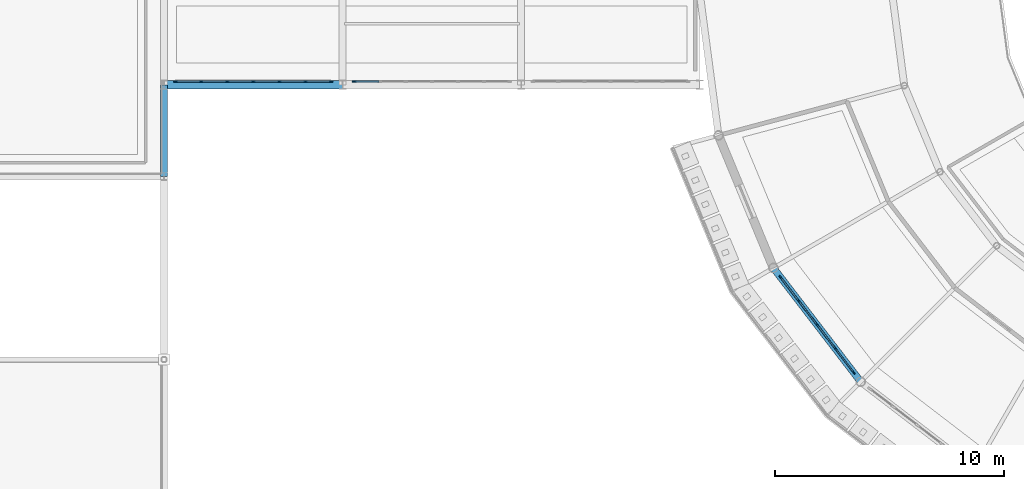
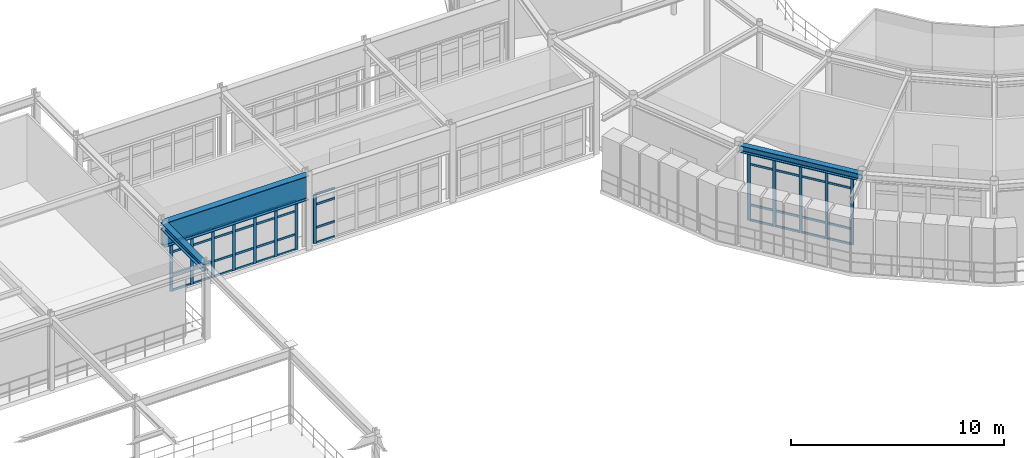
# One storey, part 31 of 106: 57 members, 3 beams, 3 elements without a shape of their own.
"""IFC4 building model written with IfcOpenShell, lengths in metres."""

from ifc_helpers import new_model, si_unit, derived_unit, direction, frame, origin, origin_2d, place, context, subcontext, project, spatial, rectangle, i_section, extrude, material, layer, layer_set, material_profile, profile_set, type_object, element, aggregate, save


model = new_model("IFC4")

# Units and contexts
model_context = context("Model", 3, precision=1e-05, world=origin(), true_north=direction((0.0, 1.0)))
body_context = subcontext(model_context, "Body", "Model", "MODEL_VIEW")
ifc_project = project(units=[si_unit("LENGTHUNIT", "METRE"), si_unit("AREAUNIT", "SQUARE_METRE"), si_unit("VOLUMEUNIT", "CUBIC_METRE"), si_unit("PLANEANGLEUNIT", "RADIAN"), si_unit("MASSUNIT", "GRAM", prefix="KILO"), derived_unit("THERMALTRANSMITTANCEUNIT", [(si_unit("POWERUNIT", "WATT"), 1), (si_unit("AREAUNIT", "SQUARE_METRE"), -1), (si_unit("THERMODYNAMICTEMPERATUREUNIT", "KELVIN"), -1)])], contexts=[model_context])

# Site, building, storey
site_placement = place(None, origin())
site = spatial("IfcSite", under=ifc_project, at=site_placement, CompositionType="ELEMENT")
building_placement = place(site_placement, origin())
building = spatial("IfcBuilding", under=site, at=building_placement, Name="Yasenodar Specialist Clinic", CompositionType="ELEMENT")
storey_placement = place(building_placement, frame((0.0, 0.0, 4.5)))
storey = spatial("IfcBuildingStorey", under=building, at=storey_placement, Name="L01", CompositionType="ELEMENT", Elevation=4.5)

# Beams
ifc_material_1 = material(Name="Steel S355", Category="steel")
ifc_material_profile_1 = material_profile(ifc_material_1, i_section(OverallWidth=0.300048828125, OverallDepth=0.389892578125, WebThickness=0.010986328125, FlangeThickness=0.01904296875, FilletRadius=0.027099609375, at=origin_2d()), Name="HEA 400")
ifc_profile_set_1 = profile_set([ifc_material_profile_1], Name="Steel S355")
beam_type_1 = type_object("IfcBeamType", Name="BM-HEA400", PredefinedType="BEAM", material=ifc_profile_set_1)
beam_1_placement = place(storey_placement, frame((60.21533203125, 46.800048828125, 4.054931640625), z_axis=(0.608742360322, -0.793367971845, 0.0), x_axis=(0.793367971845, 0.608742360322, 0.0)))
element("IfcBeam", 1, at=beam_1_placement, inside=storey, type_object=beam_type_1, Name="L01 Drum V1 Perimeter Ring Beam", PredefinedType="BEAM", context=body_context, shape_type="SweptSolid", body=[
    extrude(i_section(OverallWidth=0.300048828125, OverallDepth=0.389892578125, WebThickness=0.010986328125, FlangeThickness=0.01904296875, FilletRadius=0.027099609375, at=origin_2d()), origin(), (0.0, 0.0, 1.0), 6.265380859375),
])
ifc_material_profile_2 = material_profile(ifc_material_1, i_section(OverallWidth=0.300048828125, OverallDepth=0.39990234375, WebThickness=0.013427734375, FlangeThickness=0.02392578125, FilletRadius=0.027099609375, at=origin_2d()), Name="HEB 400")
ifc_profile_set_2 = profile_set([ifc_material_profile_2], Name="Steel S355")
beam_type_2 = type_object("IfcBeamType", Name="BM-HEB400", PredefinedType="BEAM", material=ifc_profile_set_2)
beam_2_placement = place(storey_placement, frame((33.60009765625, 50.800048828125, 4.050048828125), z_axis=(0.0, 1.0, 0.0), x_axis=(-1.0, 0.0, 0.0)))
element("IfcBeam", 2, at=beam_2_placement, inside=storey, type_object=beam_type_2, Name="L01 Primary N-S Girder", PredefinedType="BEAM", context=body_context, shape_type="SweptSolid", body=[
    extrude(i_section(OverallWidth=0.300048828125, OverallDepth=0.39990234375, WebThickness=0.013427734375, FlangeThickness=0.02392578125, FilletRadius=0.027099609375, at=origin_2d()), origin(), (0.0, 0.0, 1.0), 4.0),
])
ifc_material_profile_3 = material_profile(ifc_material_1, i_section(OverallWidth=0.35009765625, OverallDepth=1.39990234375, WebThickness=0.01611328125, FlangeThickness=0.028076171875, FilletRadius=0.02392578125, at=origin_2d()), Name="PG 1400x350")
ifc_profile_set_3 = profile_set([ifc_material_profile_3], Name="Steel S355")
beam_type_3 = type_object("IfcBeamType", Name="BM-PG-1400", PredefinedType="BEAM", material=ifc_profile_set_3)
beam_3_placement = place(storey_placement, frame((33.60009765625, 54.800048828125, 3.550048828125), z_axis=(1.0, 0.0, 0.0), x_axis=(0.0, 1.0, 0.0)))
element("IfcBeam", 3, at=beam_3_placement, inside=storey, type_object=beam_type_3, Name="L01 Light Bridge Plate Girder", PredefinedType="BEAM", context=body_context, shape_type="SweptSolid", body=[
    extrude(i_section(OverallWidth=0.35009765625, OverallDepth=1.39990234375, WebThickness=0.01611328125, FlangeThickness=0.028076171875, FilletRadius=0.02392578125, at=origin_2d()), origin(), (0.0, 0.0, 1.0), 7.7998046875),
])

# Curtain wall, members
ifc_material_2 = material(Name="Bronze Anodized Aluminium and Triple Low-E Glass", Category="aluminium")
ifc_layer_1 = layer(ifc_material_2, 0.1669921875)
ifc_layer_set_1 = layer_set([ifc_layer_1], Name="Bronze Anodized Aluminium and Triple Low-E Glass")
curtain_wall_type_1 = type_object("IfcCurtainWallType", Name="CW-SYS-01", PredefinedType="USERDEFINED", material=ifc_layer_set_1)
curtain_wall_1_placement = place(storey_placement, origin())
curtain_wall_1 = element("IfcCurtainWall", 4, at=curtain_wall_1_placement, inside=storey, type_object=curtain_wall_type_1, Name="L01 Unitised Curtain Wall 019", ObjectType="UNITISED CURTAIN WALL", PredefinedType="USERDEFINED")
ifc_material_3 = material(Name="Bronze Anodized Aluminium", Category="aluminium")
ifc_material_profile_4 = material_profile(ifc_material_3, rectangle(XDim=0.06005859375, YDim=0.159912109375, at=origin_2d()), Name="CW-MULL 60x160")
ifc_profile_set_4 = profile_set([ifc_material_profile_4], Name="Bronze Anodized Aluminium")
member_type_1 = type_object("IfcMemberType", Name="CW-MULL-160", PredefinedType="MULLION", material=ifc_profile_set_4)
member_1_placement = place(storey_placement, frame((63.718994140625, 42.23388671875, 0.0), z_axis=(0.0, 0.0, 1.0), x_axis=(-0.793360558574, -0.608752021844, 0.0)))
member_1 = element("IfcMember", 5, at=member_1_placement, type_object=member_type_1, Name="CW-01 mullion 1", PredefinedType="MULLION", context=body_context, shape_type="SweptSolid", body=[
    extrude(rectangle(XDim=0.06005859375, YDim=0.159912109375, at=origin_2d()), origin(), (0.0, 0.0, 1.0), 3.837890625),
])
member_2_placement = place(storey_placement, frame((62.9296875, 43.262451171875, 0.0), z_axis=(0.0, 0.0, 1.0), x_axis=(-0.793360558574, -0.608752021844, 0.0)))
member_2 = element("IfcMember", 6, at=member_2_placement, type_object=member_type_1, Name="CW-01 mullion 2", PredefinedType="MULLION", context=body_context, shape_type="SweptSolid", body=[
    extrude(rectangle(XDim=0.06005859375, YDim=0.159912109375, at=origin_2d()), origin(), (0.0, 0.0, 1.0), 3.837890625),
])
member_3_placement = place(storey_placement, frame((62.122314453125, 44.314697265625, 0.0), z_axis=(0.0, 0.0, 1.0), x_axis=(-0.793360558574, -0.608752021844, 0.0)))
member_3 = element("IfcMember", 7, at=member_3_placement, type_object=member_type_1, Name="CW-01 mullion 3", PredefinedType="MULLION", context=body_context, shape_type="SweptSolid", body=[
    extrude(rectangle(XDim=0.06005859375, YDim=0.159912109375, at=origin_2d()), origin(), (0.0, 0.0, 1.0), 3.837890625),
])
member_4_placement = place(storey_placement, frame((61.31494140625, 45.366943359375, 0.0), z_axis=(0.0, 0.0, 1.0), x_axis=(-0.793360558574, -0.608752021844, 0.0)))
member_4 = element("IfcMember", 8, at=member_4_placement, type_object=member_type_1, Name="CW-01 mullion 4", PredefinedType="MULLION", context=body_context, shape_type="SweptSolid", body=[
    extrude(rectangle(XDim=0.06005859375, YDim=0.159912109375, at=origin_2d()), origin(), (0.0, 0.0, 1.0), 3.837890625),
])
member_5_placement = place(storey_placement, frame((60.52587890625, 46.3955078125, 0.0), z_axis=(0.0, 0.0, 1.0), x_axis=(-0.793360558574, -0.608752021844, 0.0)))
member_5 = element("IfcMember", 9, at=member_5_placement, type_object=member_type_1, Name="CW-01 mullion 5", PredefinedType="MULLION", context=body_context, shape_type="SweptSolid", body=[
    extrude(rectangle(XDim=0.06005859375, YDim=0.159912109375, at=origin_2d()), origin(), (0.0, 0.0, 1.0), 3.837890625),
])

ifc_layer_2 = layer(ifc_material_2, 0.19091796875)
ifc_layer_set_2 = layer_set([ifc_layer_2], Name="Bronze Anodized Aluminium and Triple Low-E Glass")
curtain_wall_type_2 = type_object("IfcCurtainWallType", Name="CW-SYS-03", PredefinedType="USERDEFINED", material=ifc_layer_set_2)
curtain_wall_2_placement = place(storey_placement, origin())
curtain_wall_2 = element("IfcCurtainWall", 10, at=curtain_wall_2_placement, inside=storey, type_object=curtain_wall_type_2, Name="L01 Unitised Curtain Wall 102", ObjectType="UNITISED CURTAIN WALL", PredefinedType="USERDEFINED")
member_6_placement = place(storey_placement, frame((40.889892578125, 54.949951171875, 0.0), z_axis=(0.0, 0.0, 1.0), x_axis=(0.0, -1.0, 0.0)))
member_6 = element("IfcMember", 11, at=member_6_placement, type_object=member_type_1, Name="CW-03 mullion 1", PredefinedType="MULLION", context=body_context, shape_type="SweptSolid", body=[
    extrude(rectangle(XDim=0.06005859375, YDim=0.159912109375, at=origin_2d()), origin(), (0.0, 0.0, 1.0), 2.827880859375),
])
member_7_placement = place(storey_placement, frame((39.780029296875, 54.949951171875, 0.0), z_axis=(0.0, 0.0, 1.0), x_axis=(0.0, -1.0, 0.0)))
member_7 = element("IfcMember", 12, at=member_7_placement, type_object=member_type_1, Name="CW-03 mullion 2", PredefinedType="MULLION", context=body_context, shape_type="SweptSolid", body=[
    extrude(rectangle(XDim=0.06005859375, YDim=0.159912109375, at=origin_2d()), origin(), (0.0, 0.0, 1.0), 2.827880859375),
])
member_8_placement = place(storey_placement, frame((38.639892578125, 54.949951171875, 0.0), z_axis=(0.0, 0.0, 1.0), x_axis=(0.0, -1.0, 0.0)))
member_8 = element("IfcMember", 13, at=member_8_placement, type_object=member_type_1, Name="CW-03 mullion 3", PredefinedType="MULLION", context=body_context, shape_type="SweptSolid", body=[
    extrude(rectangle(XDim=0.06005859375, YDim=0.159912109375, at=origin_2d()), origin(), (0.0, 0.0, 1.0), 2.827880859375),
])
member_9_placement = place(storey_placement, frame((37.5, 54.949951171875, 0.0), z_axis=(0.0, 0.0, 1.0), x_axis=(0.0, -1.0, 0.0)))
member_9 = element("IfcMember", 14, at=member_9_placement, type_object=member_type_1, Name="CW-03 mullion 4", PredefinedType="MULLION", context=body_context, shape_type="SweptSolid", body=[
    extrude(rectangle(XDim=0.06005859375, YDim=0.159912109375, at=origin_2d()), origin(), (0.0, 0.0, 1.0), 2.827880859375),
])
member_10_placement = place(storey_placement, frame((36.360107421875, 54.949951171875, 0.0), z_axis=(0.0, 0.0, 1.0), x_axis=(0.0, -1.0, 0.0)))
member_10 = element("IfcMember", 15, at=member_10_placement, type_object=member_type_1, Name="CW-03 mullion 5", PredefinedType="MULLION", context=body_context, shape_type="SweptSolid", body=[
    extrude(rectangle(XDim=0.06005859375, YDim=0.159912109375, at=origin_2d()), origin(), (0.0, 0.0, 1.0), 2.827880859375),
])
member_11_placement = place(storey_placement, frame((35.219970703125, 54.949951171875, 0.0), z_axis=(0.0, 0.0, 1.0), x_axis=(0.0, -1.0, 0.0)))
member_11 = element("IfcMember", 16, at=member_11_placement, type_object=member_type_1, Name="CW-03 mullion 6", PredefinedType="MULLION", context=body_context, shape_type="SweptSolid", body=[
    extrude(rectangle(XDim=0.06005859375, YDim=0.159912109375, at=origin_2d()), origin(), (0.0, 0.0, 1.0), 2.827880859375),
])
member_12_placement = place(storey_placement, frame((34.110107421875, 54.949951171875, 0.0), z_axis=(0.0, 0.0, 1.0), x_axis=(0.0, -1.0, 0.0)))
member_12 = element("IfcMember", 17, at=member_12_placement, type_object=member_type_1, Name="CW-03 mullion 7", PredefinedType="MULLION", context=body_context, shape_type="SweptSolid", body=[
    extrude(rectangle(XDim=0.06005859375, YDim=0.159912109375, at=origin_2d()), origin(), (0.0, 0.0, 1.0), 2.827880859375),
])

# Curtain wall, member
curtain_wall_3_placement = place(storey_placement, origin())
curtain_wall_3 = element("IfcCurtainWall", 18, at=curtain_wall_3_placement, inside=storey, type_object=curtain_wall_type_2, Name="L01 Unitised Curtain Wall 104", ObjectType="UNITISED CURTAIN WALL", PredefinedType="USERDEFINED")
member_13_placement = place(storey_placement, frame((41.909912109375, 54.949951171875, 0.0), z_axis=(0.0, 0.0, 1.0), x_axis=(0.0, -1.0, 0.0)))
member_13 = element("IfcMember", 19, at=member_13_placement, type_object=member_type_1, Name="CW-03 mullion 7", PredefinedType="MULLION", context=body_context, shape_type="SweptSolid", body=[
    extrude(rectangle(XDim=0.06005859375, YDim=0.159912109375, at=origin_2d()), origin(), (0.0, 0.0, 1.0), 2.827880859375),
])

# Member
ifc_material_profile_5 = material_profile(ifc_material_3, rectangle(XDim=0.06005859375, YDim=0.1201171875, at=origin_2d()), Name="CW-TRAN 60x120")
ifc_profile_set_5 = profile_set([ifc_material_profile_5], Name="Bronze Anodized Aluminium")
member_type_2 = type_object("IfcMemberType", Name="CW-TRAN-120", PredefinedType="USERDEFINED", material=ifc_profile_set_5)
member_14_placement = place(storey_placement, frame((63.70068359375, 42.2578125, 0.030029296875), z_axis=(-0.608746535642, 0.793364768151, 0.0), x_axis=(-0.793364768151, -0.608746535642, 0.0)))
member_14 = element("IfcMember", 20, at=member_14_placement, type_object=member_type_2, Name="CW-01 transom 1.1", ObjectType="TRANSOM", PredefinedType="USERDEFINED", context=body_context, shape_type="SweptSolid", body=[
    extrude(rectangle(XDim=0.06005859375, YDim=0.1201171875, at=origin_2d()), origin(), (0.0, 0.0, 1.0), 1.236572265625),
])

member_15_placement = place(storey_placement, frame((63.70068359375, 42.2578125, 0.89990234375), z_axis=(-0.608746535642, 0.793364768151, 0.0), x_axis=(-0.793364768151, -0.608746535642, 0.0)))
member_15 = element("IfcMember", 21, at=member_15_placement, type_object=member_type_2, Name="CW-01 transom 1.2", ObjectType="TRANSOM", PredefinedType="USERDEFINED", context=body_context, shape_type="SweptSolid", body=[
    extrude(rectangle(XDim=0.06005859375, YDim=0.1201171875, at=origin_2d()), origin(), (0.0, 0.0, 1.0), 1.236572265625),
])

member_16_placement = place(storey_placement, frame((63.70068359375, 42.2578125, 3.238037109375), z_axis=(-0.608746535642, 0.793364768151, 0.0), x_axis=(-0.793364768151, -0.608746535642, 0.0)))
member_16 = element("IfcMember", 22, at=member_16_placement, type_object=member_type_2, Name="CW-01 transom 1.3", ObjectType="TRANSOM", PredefinedType="USERDEFINED", context=body_context, shape_type="SweptSolid", body=[
    extrude(rectangle(XDim=0.06005859375, YDim=0.1201171875, at=origin_2d()), origin(), (0.0, 0.0, 1.0), 1.236572265625),
])

member_17_placement = place(storey_placement, frame((63.70068359375, 42.2578125, 3.80810546875), z_axis=(-0.608746535642, 0.793364768151, 0.0), x_axis=(-0.793364768151, -0.608746535642, 0.0)))
member_17 = element("IfcMember", 23, at=member_17_placement, type_object=member_type_2, Name="CW-01 transom 1.4", ObjectType="TRANSOM", PredefinedType="USERDEFINED", context=body_context, shape_type="SweptSolid", body=[
    extrude(rectangle(XDim=0.06005859375, YDim=0.1201171875, at=origin_2d()), origin(), (0.0, 0.0, 1.0), 1.236572265625),
])

member_18_placement = place(storey_placement, frame((62.91162109375, 43.2861328125, 0.030029296875), z_axis=(-0.608722862036, 0.793382932281, 0.0), x_axis=(-0.793382932281, -0.608722862036, 0.0)))
member_18 = element("IfcMember", 24, at=member_18_placement, type_object=member_type_2, Name="CW-01 transom 2.1", ObjectType="TRANSOM", PredefinedType="USERDEFINED", context=body_context, shape_type="SweptSolid", body=[
    extrude(rectangle(XDim=0.06005859375, YDim=0.1201171875, at=origin_2d()), origin(), (0.0, 0.0, 1.0), 1.2666015625),
])

member_19_placement = place(storey_placement, frame((62.91162109375, 43.2861328125, 0.89990234375), z_axis=(-0.608722862036, 0.793382932281, 0.0), x_axis=(-0.793382932281, -0.608722862036, 0.0)))
member_19 = element("IfcMember", 25, at=member_19_placement, type_object=member_type_2, Name="CW-01 transom 2.2", ObjectType="TRANSOM", PredefinedType="USERDEFINED", context=body_context, shape_type="SweptSolid", body=[
    extrude(rectangle(XDim=0.06005859375, YDim=0.1201171875, at=origin_2d()), origin(), (0.0, 0.0, 1.0), 1.2666015625),
])

member_20_placement = place(storey_placement, frame((62.91162109375, 43.2861328125, 3.238037109375), z_axis=(-0.608722862036, 0.793382932281, 0.0), x_axis=(-0.793382932281, -0.608722862036, 0.0)))
member_20 = element("IfcMember", 26, at=member_20_placement, type_object=member_type_2, Name="CW-01 transom 2.3", ObjectType="TRANSOM", PredefinedType="USERDEFINED", context=body_context, shape_type="SweptSolid", body=[
    extrude(rectangle(XDim=0.06005859375, YDim=0.1201171875, at=origin_2d()), origin(), (0.0, 0.0, 1.0), 1.2666015625),
])

member_21_placement = place(storey_placement, frame((62.91162109375, 43.2861328125, 3.80810546875), z_axis=(-0.608722862036, 0.793382932281, 0.0), x_axis=(-0.793382932281, -0.608722862036, 0.0)))
member_21 = element("IfcMember", 27, at=member_21_placement, type_object=member_type_2, Name="CW-01 transom 2.4", ObjectType="TRANSOM", PredefinedType="USERDEFINED", context=body_context, shape_type="SweptSolid", body=[
    extrude(rectangle(XDim=0.06005859375, YDim=0.1201171875, at=origin_2d()), origin(), (0.0, 0.0, 1.0), 1.2666015625),
])

member_22_placement = place(storey_placement, frame((62.104248046875, 44.33837890625, 0.030029296875), z_axis=(-0.608722862036, 0.793382932281, 0.0), x_axis=(-0.793382932281, -0.608722862036, 0.0)))
member_22 = element("IfcMember", 28, at=member_22_placement, type_object=member_type_2, Name="CW-01 transom 3.1", ObjectType="TRANSOM", PredefinedType="USERDEFINED", context=body_context, shape_type="SweptSolid", body=[
    extrude(rectangle(XDim=0.06005859375, YDim=0.1201171875, at=origin_2d()), origin(), (0.0, 0.0, 1.0), 1.2666015625),
])

member_23_placement = place(storey_placement, frame((62.104248046875, 44.33837890625, 0.89990234375), z_axis=(-0.608722862036, 0.793382932281, 0.0), x_axis=(-0.793382932281, -0.608722862036, 0.0)))
member_23 = element("IfcMember", 29, at=member_23_placement, type_object=member_type_2, Name="CW-01 transom 3.2", ObjectType="TRANSOM", PredefinedType="USERDEFINED", context=body_context, shape_type="SweptSolid", body=[
    extrude(rectangle(XDim=0.06005859375, YDim=0.1201171875, at=origin_2d()), origin(), (0.0, 0.0, 1.0), 1.2666015625),
])

member_24_placement = place(storey_placement, frame((62.104248046875, 44.33837890625, 3.238037109375), z_axis=(-0.608722862036, 0.793382932281, 0.0), x_axis=(-0.793382932281, -0.608722862036, 0.0)))
member_24 = element("IfcMember", 30, at=member_24_placement, type_object=member_type_2, Name="CW-01 transom 3.3", ObjectType="TRANSOM", PredefinedType="USERDEFINED", context=body_context, shape_type="SweptSolid", body=[
    extrude(rectangle(XDim=0.06005859375, YDim=0.1201171875, at=origin_2d()), origin(), (0.0, 0.0, 1.0), 1.2666015625),
])

member_25_placement = place(storey_placement, frame((62.104248046875, 44.33837890625, 3.80810546875), z_axis=(-0.608722862036, 0.793382932281, 0.0), x_axis=(-0.793382932281, -0.608722862036, 0.0)))
member_25 = element("IfcMember", 31, at=member_25_placement, type_object=member_type_2, Name="CW-01 transom 3.4", ObjectType="TRANSOM", PredefinedType="USERDEFINED", context=body_context, shape_type="SweptSolid", body=[
    extrude(rectangle(XDim=0.06005859375, YDim=0.1201171875, at=origin_2d()), origin(), (0.0, 0.0, 1.0), 1.2666015625),
])

member_26_placement = place(storey_placement, frame((61.296630859375, 45.390869140625, 0.030029296875), z_axis=(-0.608717606417, 0.793386964626, 0.0), x_axis=(-0.793386964626, -0.608717606417, 0.0)))
member_26 = element("IfcMember", 32, at=member_26_placement, type_object=member_type_2, Name="CW-01 transom 4.1", ObjectType="TRANSOM", PredefinedType="USERDEFINED", context=body_context, shape_type="SweptSolid", body=[
    extrude(rectangle(XDim=0.06005859375, YDim=0.1201171875, at=origin_2d()), origin(), (0.0, 0.0, 1.0), 1.236083984375),
])

member_27_placement = place(storey_placement, frame((61.296630859375, 45.390869140625, 0.89990234375), z_axis=(-0.608717606417, 0.793386964626, 0.0), x_axis=(-0.793386964626, -0.608717606417, 0.0)))
member_27 = element("IfcMember", 33, at=member_27_placement, type_object=member_type_2, Name="CW-01 transom 4.2", ObjectType="TRANSOM", PredefinedType="USERDEFINED", context=body_context, shape_type="SweptSolid", body=[
    extrude(rectangle(XDim=0.06005859375, YDim=0.1201171875, at=origin_2d()), origin(), (0.0, 0.0, 1.0), 1.236083984375),
])

member_28_placement = place(storey_placement, frame((61.296630859375, 45.390869140625, 3.238037109375), z_axis=(-0.608717606417, 0.793386964626, 0.0), x_axis=(-0.793386964626, -0.608717606417, 0.0)))
member_28 = element("IfcMember", 34, at=member_28_placement, type_object=member_type_2, Name="CW-01 transom 4.3", ObjectType="TRANSOM", PredefinedType="USERDEFINED", context=body_context, shape_type="SweptSolid", body=[
    extrude(rectangle(XDim=0.06005859375, YDim=0.1201171875, at=origin_2d()), origin(), (0.0, 0.0, 1.0), 1.236083984375),
])

member_29_placement = place(storey_placement, frame((61.296630859375, 45.390869140625, 3.80810546875), z_axis=(-0.608717606417, 0.793386964626, 0.0), x_axis=(-0.793386964626, -0.608717606417, 0.0)))
member_29 = element("IfcMember", 35, at=member_29_placement, type_object=member_type_2, Name="CW-01 transom 4.4", ObjectType="TRANSOM", PredefinedType="USERDEFINED", context=body_context, shape_type="SweptSolid", body=[
    extrude(rectangle(XDim=0.06005859375, YDim=0.1201171875, at=origin_2d()), origin(), (0.0, 0.0, 1.0), 1.236083984375),
])

aggregate(curtain_wall_1, [member_1, member_2, member_3, member_4, member_5, member_14, member_15, member_16, member_17, member_18, member_19, member_20, member_21, member_22, member_23, member_24, member_25, member_26, member_27, member_28, member_29])

member_30_placement = place(storey_placement, frame((40.860107421875, 54.949951171875, 0.030029296875), z_axis=(-1.0, 0.0, 0.0), x_axis=(0.0, -1.0, 0.0)))
member_30 = element("IfcMember", 36, at=member_30_placement, type_object=member_type_2, Name="CW-03 transom 1.1", ObjectType="TRANSOM", PredefinedType="USERDEFINED", context=body_context, shape_type="SweptSolid", body=[
    extrude(rectangle(XDim=0.06005859375, YDim=0.1201171875, at=origin_2d()), origin(), (0.0, 0.0, 1.0), 1.050048828125),
])

member_31_placement = place(storey_placement, frame((40.860107421875, 54.949951171875, 0.89990234375), z_axis=(-1.0, 0.0, 0.0), x_axis=(0.0, -1.0, 0.0)))
member_31 = element("IfcMember", 37, at=member_31_placement, type_object=member_type_2, Name="CW-03 transom 1.2", ObjectType="TRANSOM", PredefinedType="USERDEFINED", context=body_context, shape_type="SweptSolid", body=[
    extrude(rectangle(XDim=0.06005859375, YDim=0.1201171875, at=origin_2d()), origin(), (0.0, 0.0, 1.0), 1.050048828125),
])

member_32_placement = place(storey_placement, frame((40.860107421875, 54.949951171875, 2.22802734375), z_axis=(-1.0, 0.0, 0.0), x_axis=(0.0, -1.0, 0.0)))
member_32 = element("IfcMember", 38, at=member_32_placement, type_object=member_type_2, Name="CW-03 transom 1.3", ObjectType="TRANSOM", PredefinedType="USERDEFINED", context=body_context, shape_type="SweptSolid", body=[
    extrude(rectangle(XDim=0.06005859375, YDim=0.1201171875, at=origin_2d()), origin(), (0.0, 0.0, 1.0), 1.050048828125),
])

member_33_placement = place(storey_placement, frame((40.860107421875, 54.949951171875, 2.798095703125), z_axis=(-1.0, 0.0, 0.0), x_axis=(0.0, -1.0, 0.0)))
member_33 = element("IfcMember", 39, at=member_33_placement, type_object=member_type_2, Name="CW-03 transom 1.4", ObjectType="TRANSOM", PredefinedType="USERDEFINED", context=body_context, shape_type="SweptSolid", body=[
    extrude(rectangle(XDim=0.06005859375, YDim=0.1201171875, at=origin_2d()), origin(), (0.0, 0.0, 1.0), 1.050048828125),
])

member_34_placement = place(storey_placement, frame((39.75, 54.949951171875, 0.030029296875), z_axis=(-1.0, 0.0, 0.0), x_axis=(0.0, -1.0, 0.0)))
member_34 = element("IfcMember", 40, at=member_34_placement, type_object=member_type_2, Name="CW-03 transom 2.1", ObjectType="TRANSOM", PredefinedType="USERDEFINED", context=body_context, shape_type="SweptSolid", body=[
    extrude(rectangle(XDim=0.06005859375, YDim=0.1201171875, at=origin_2d()), origin(), (0.0, 0.0, 1.0), 1.080078125),
])

member_35_placement = place(storey_placement, frame((39.75, 54.949951171875, 0.89990234375), z_axis=(-1.0, 0.0, 0.0), x_axis=(0.0, -1.0, 0.0)))
member_35 = element("IfcMember", 41, at=member_35_placement, type_object=member_type_2, Name="CW-03 transom 2.2", ObjectType="TRANSOM", PredefinedType="USERDEFINED", context=body_context, shape_type="SweptSolid", body=[
    extrude(rectangle(XDim=0.06005859375, YDim=0.1201171875, at=origin_2d()), origin(), (0.0, 0.0, 1.0), 1.080078125),
])

member_36_placement = place(storey_placement, frame((39.75, 54.949951171875, 2.22802734375), z_axis=(-1.0, 0.0, 0.0), x_axis=(0.0, -1.0, 0.0)))
member_36 = element("IfcMember", 42, at=member_36_placement, type_object=member_type_2, Name="CW-03 transom 2.3", ObjectType="TRANSOM", PredefinedType="USERDEFINED", context=body_context, shape_type="SweptSolid", body=[
    extrude(rectangle(XDim=0.06005859375, YDim=0.1201171875, at=origin_2d()), origin(), (0.0, 0.0, 1.0), 1.080078125),
])

member_37_placement = place(storey_placement, frame((39.75, 54.949951171875, 2.798095703125), z_axis=(-1.0, 0.0, 0.0), x_axis=(0.0, -1.0, 0.0)))
member_37 = element("IfcMember", 43, at=member_37_placement, type_object=member_type_2, Name="CW-03 transom 2.4", ObjectType="TRANSOM", PredefinedType="USERDEFINED", context=body_context, shape_type="SweptSolid", body=[
    extrude(rectangle(XDim=0.06005859375, YDim=0.1201171875, at=origin_2d()), origin(), (0.0, 0.0, 1.0), 1.080078125),
])

member_38_placement = place(storey_placement, frame((38.610107421875, 54.949951171875, 0.030029296875), z_axis=(-1.0, 0.0, 0.0), x_axis=(0.0, -1.0, 0.0)))
member_38 = element("IfcMember", 44, at=member_38_placement, type_object=member_type_2, Name="CW-03 transom 3.1", ObjectType="TRANSOM", PredefinedType="USERDEFINED", context=body_context, shape_type="SweptSolid", body=[
    extrude(rectangle(XDim=0.06005859375, YDim=0.1201171875, at=origin_2d()), origin(), (0.0, 0.0, 1.0), 1.080078125),
])

member_39_placement = place(storey_placement, frame((38.610107421875, 54.949951171875, 0.89990234375), z_axis=(-1.0, 0.0, 0.0), x_axis=(0.0, -1.0, 0.0)))
member_39 = element("IfcMember", 45, at=member_39_placement, type_object=member_type_2, Name="CW-03 transom 3.2", ObjectType="TRANSOM", PredefinedType="USERDEFINED", context=body_context, shape_type="SweptSolid", body=[
    extrude(rectangle(XDim=0.06005859375, YDim=0.1201171875, at=origin_2d()), origin(), (0.0, 0.0, 1.0), 1.080078125),
])

member_40_placement = place(storey_placement, frame((38.610107421875, 54.949951171875, 2.22802734375), z_axis=(-1.0, 0.0, 0.0), x_axis=(0.0, -1.0, 0.0)))
member_40 = element("IfcMember", 46, at=member_40_placement, type_object=member_type_2, Name="CW-03 transom 3.3", ObjectType="TRANSOM", PredefinedType="USERDEFINED", context=body_context, shape_type="SweptSolid", body=[
    extrude(rectangle(XDim=0.06005859375, YDim=0.1201171875, at=origin_2d()), origin(), (0.0, 0.0, 1.0), 1.080078125),
])

member_41_placement = place(storey_placement, frame((38.610107421875, 54.949951171875, 2.798095703125), z_axis=(-1.0, 0.0, 0.0), x_axis=(0.0, -1.0, 0.0)))
member_41 = element("IfcMember", 47, at=member_41_placement, type_object=member_type_2, Name="CW-03 transom 3.4", ObjectType="TRANSOM", PredefinedType="USERDEFINED", context=body_context, shape_type="SweptSolid", body=[
    extrude(rectangle(XDim=0.06005859375, YDim=0.1201171875, at=origin_2d()), origin(), (0.0, 0.0, 1.0), 1.080078125),
])

member_42_placement = place(storey_placement, frame((37.469970703125, 54.949951171875, 0.030029296875), z_axis=(-1.0, 0.0, 0.0), x_axis=(0.0, -1.0, 0.0)))
member_42 = element("IfcMember", 48, at=member_42_placement, type_object=member_type_2, Name="CW-03 transom 4.1", ObjectType="TRANSOM", PredefinedType="USERDEFINED", context=body_context, shape_type="SweptSolid", body=[
    extrude(rectangle(XDim=0.06005859375, YDim=0.1201171875, at=origin_2d()), origin(), (0.0, 0.0, 1.0), 1.080078125),
])

member_43_placement = place(storey_placement, frame((37.469970703125, 54.949951171875, 0.89990234375), z_axis=(-1.0, 0.0, 0.0), x_axis=(0.0, -1.0, 0.0)))
member_43 = element("IfcMember", 49, at=member_43_placement, type_object=member_type_2, Name="CW-03 transom 4.2", ObjectType="TRANSOM", PredefinedType="USERDEFINED", context=body_context, shape_type="SweptSolid", body=[
    extrude(rectangle(XDim=0.06005859375, YDim=0.1201171875, at=origin_2d()), origin(), (0.0, 0.0, 1.0), 1.080078125),
])

member_44_placement = place(storey_placement, frame((37.469970703125, 54.949951171875, 2.22802734375), z_axis=(-1.0, 0.0, 0.0), x_axis=(0.0, -1.0, 0.0)))
member_44 = element("IfcMember", 50, at=member_44_placement, type_object=member_type_2, Name="CW-03 transom 4.3", ObjectType="TRANSOM", PredefinedType="USERDEFINED", context=body_context, shape_type="SweptSolid", body=[
    extrude(rectangle(XDim=0.06005859375, YDim=0.1201171875, at=origin_2d()), origin(), (0.0, 0.0, 1.0), 1.080078125),
])

member_45_placement = place(storey_placement, frame((37.469970703125, 54.949951171875, 2.798095703125), z_axis=(-1.0, 0.0, 0.0), x_axis=(0.0, -1.0, 0.0)))
member_45 = element("IfcMember", 51, at=member_45_placement, type_object=member_type_2, Name="CW-03 transom 4.4", ObjectType="TRANSOM", PredefinedType="USERDEFINED", context=body_context, shape_type="SweptSolid", body=[
    extrude(rectangle(XDim=0.06005859375, YDim=0.1201171875, at=origin_2d()), origin(), (0.0, 0.0, 1.0), 1.080078125),
])

member_46_placement = place(storey_placement, frame((36.330078125, 54.949951171875, 0.030029296875), z_axis=(-1.0, 0.0, 0.0), x_axis=(0.0, -1.0, 0.0)))
member_46 = element("IfcMember", 52, at=member_46_placement, type_object=member_type_2, Name="CW-03 transom 5.1", ObjectType="TRANSOM", PredefinedType="USERDEFINED", context=body_context, shape_type="SweptSolid", body=[
    extrude(rectangle(XDim=0.06005859375, YDim=0.1201171875, at=origin_2d()), origin(), (0.0, 0.0, 1.0), 1.080078125),
])

member_47_placement = place(storey_placement, frame((36.330078125, 54.949951171875, 0.89990234375), z_axis=(-1.0, 0.0, 0.0), x_axis=(0.0, -1.0, 0.0)))
member_47 = element("IfcMember", 53, at=member_47_placement, type_object=member_type_2, Name="CW-03 transom 5.2", ObjectType="TRANSOM", PredefinedType="USERDEFINED", context=body_context, shape_type="SweptSolid", body=[
    extrude(rectangle(XDim=0.06005859375, YDim=0.1201171875, at=origin_2d()), origin(), (0.0, 0.0, 1.0), 1.080078125),
])

member_48_placement = place(storey_placement, frame((36.330078125, 54.949951171875, 2.22802734375), z_axis=(-1.0, 0.0, 0.0), x_axis=(0.0, -1.0, 0.0)))
member_48 = element("IfcMember", 54, at=member_48_placement, type_object=member_type_2, Name="CW-03 transom 5.3", ObjectType="TRANSOM", PredefinedType="USERDEFINED", context=body_context, shape_type="SweptSolid", body=[
    extrude(rectangle(XDim=0.06005859375, YDim=0.1201171875, at=origin_2d()), origin(), (0.0, 0.0, 1.0), 1.080078125),
])

member_49_placement = place(storey_placement, frame((36.330078125, 54.949951171875, 2.798095703125), z_axis=(-1.0, 0.0, 0.0), x_axis=(0.0, -1.0, 0.0)))
member_49 = element("IfcMember", 55, at=member_49_placement, type_object=member_type_2, Name="CW-03 transom 5.4", ObjectType="TRANSOM", PredefinedType="USERDEFINED", context=body_context, shape_type="SweptSolid", body=[
    extrude(rectangle(XDim=0.06005859375, YDim=0.1201171875, at=origin_2d()), origin(), (0.0, 0.0, 1.0), 1.080078125),
])

member_50_placement = place(storey_placement, frame((35.18994140625, 54.949951171875, 0.030029296875), z_axis=(-1.0, 0.0, 0.0), x_axis=(0.0, -1.0, 0.0)))
member_50 = element("IfcMember", 56, at=member_50_placement, type_object=member_type_2, Name="CW-03 transom 6.1", ObjectType="TRANSOM", PredefinedType="USERDEFINED", context=body_context, shape_type="SweptSolid", body=[
    extrude(rectangle(XDim=0.06005859375, YDim=0.1201171875, at=origin_2d()), origin(), (0.0, 0.0, 1.0), 1.050048828125),
])

member_51_placement = place(storey_placement, frame((35.18994140625, 54.949951171875, 0.89990234375), z_axis=(-1.0, 0.0, 0.0), x_axis=(0.0, -1.0, 0.0)))
member_51 = element("IfcMember", 57, at=member_51_placement, type_object=member_type_2, Name="CW-03 transom 6.2", ObjectType="TRANSOM", PredefinedType="USERDEFINED", context=body_context, shape_type="SweptSolid", body=[
    extrude(rectangle(XDim=0.06005859375, YDim=0.1201171875, at=origin_2d()), origin(), (0.0, 0.0, 1.0), 1.050048828125),
])

member_52_placement = place(storey_placement, frame((35.18994140625, 54.949951171875, 2.22802734375), z_axis=(-1.0, 0.0, 0.0), x_axis=(0.0, -1.0, 0.0)))
member_52 = element("IfcMember", 58, at=member_52_placement, type_object=member_type_2, Name="CW-03 transom 6.3", ObjectType="TRANSOM", PredefinedType="USERDEFINED", context=body_context, shape_type="SweptSolid", body=[
    extrude(rectangle(XDim=0.06005859375, YDim=0.1201171875, at=origin_2d()), origin(), (0.0, 0.0, 1.0), 1.050048828125),
])

member_53_placement = place(storey_placement, frame((35.18994140625, 54.949951171875, 2.798095703125), z_axis=(-1.0, 0.0, 0.0), x_axis=(0.0, -1.0, 0.0)))
member_53 = element("IfcMember", 59, at=member_53_placement, type_object=member_type_2, Name="CW-03 transom 6.4", ObjectType="TRANSOM", PredefinedType="USERDEFINED", context=body_context, shape_type="SweptSolid", body=[
    extrude(rectangle(XDim=0.06005859375, YDim=0.1201171875, at=origin_2d()), origin(), (0.0, 0.0, 1.0), 1.050048828125),
])

aggregate(curtain_wall_2, [member_6, member_7, member_8, member_9, member_10, member_11, member_12, member_30, member_31, member_32, member_33, member_34, member_35, member_36, member_37, member_38, member_39, member_40, member_41, member_42, member_43, member_44, member_45, member_46, member_47, member_48, member_49, member_50, member_51, member_52, member_53])

member_54_placement = place(storey_placement, frame((42.989990234375, 54.949951171875, 0.030029296875), z_axis=(-1.0, 0.0, 0.0), x_axis=(0.0, -1.0, 0.0)))
member_54 = element("IfcMember", 60, at=member_54_placement, type_object=member_type_2, Name="CW-03 transom 6.1", ObjectType="TRANSOM", PredefinedType="USERDEFINED", context=body_context, shape_type="SweptSolid", body=[
    extrude(rectangle(XDim=0.06005859375, YDim=0.1201171875, at=origin_2d()), origin(), (0.0, 0.0, 1.0), 1.050048828125),
])

member_55_placement = place(storey_placement, frame((42.989990234375, 54.949951171875, 0.89990234375), z_axis=(-1.0, 0.0, 0.0), x_axis=(0.0, -1.0, 0.0)))
member_55 = element("IfcMember", 61, at=member_55_placement, type_object=member_type_2, Name="CW-03 transom 6.2", ObjectType="TRANSOM", PredefinedType="USERDEFINED", context=body_context, shape_type="SweptSolid", body=[
    extrude(rectangle(XDim=0.06005859375, YDim=0.1201171875, at=origin_2d()), origin(), (0.0, 0.0, 1.0), 1.050048828125),
])

member_56_placement = place(storey_placement, frame((42.989990234375, 54.949951171875, 2.22802734375), z_axis=(-1.0, 0.0, 0.0), x_axis=(0.0, -1.0, 0.0)))
member_56 = element("IfcMember", 62, at=member_56_placement, type_object=member_type_2, Name="CW-03 transom 6.3", ObjectType="TRANSOM", PredefinedType="USERDEFINED", context=body_context, shape_type="SweptSolid", body=[
    extrude(rectangle(XDim=0.06005859375, YDim=0.1201171875, at=origin_2d()), origin(), (0.0, 0.0, 1.0), 1.050048828125),
])

member_57_placement = place(storey_placement, frame((42.989990234375, 54.949951171875, 2.798095703125), z_axis=(-1.0, 0.0, 0.0), x_axis=(0.0, -1.0, 0.0)))
member_57 = element("IfcMember", 63, at=member_57_placement, type_object=member_type_2, Name="CW-03 transom 6.4", ObjectType="TRANSOM", PredefinedType="USERDEFINED", context=body_context, shape_type="SweptSolid", body=[
    extrude(rectangle(XDim=0.06005859375, YDim=0.1201171875, at=origin_2d()), origin(), (0.0, 0.0, 1.0), 1.050048828125),
])

aggregate(curtain_wall_3, [member_13, member_54, member_55, member_56, member_57])

save(model, "model.ifc")
